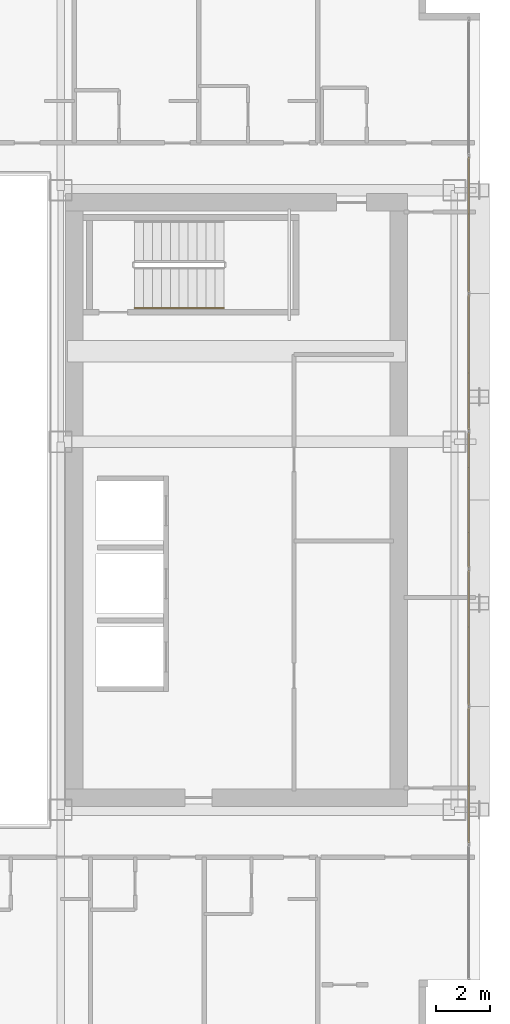
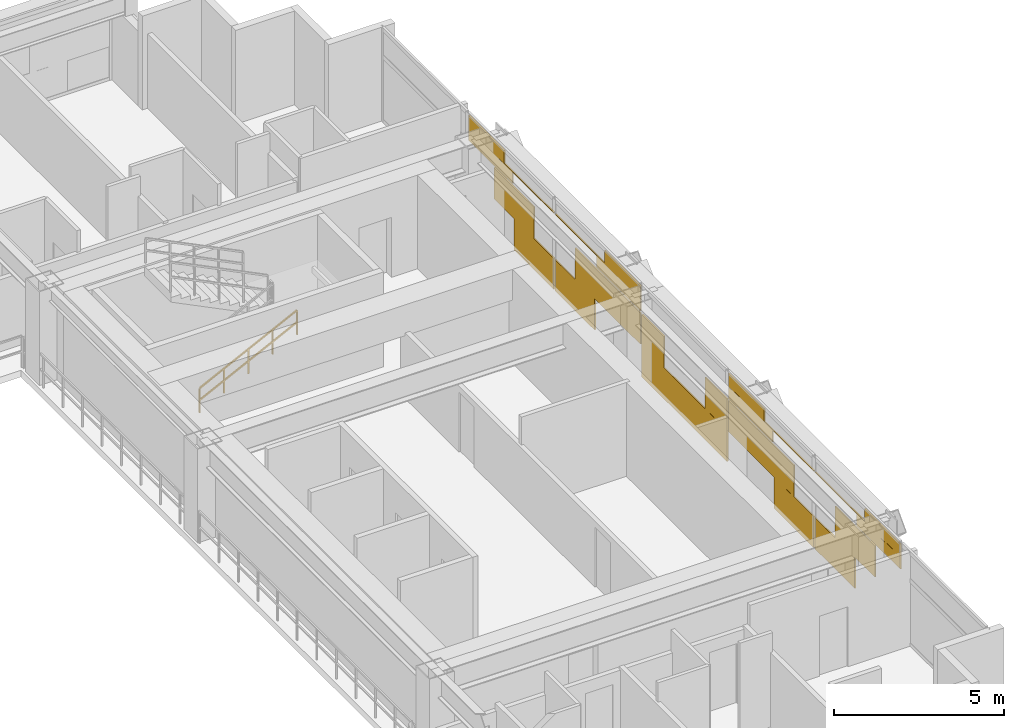
# One storey, part 34 of 35: 1 covering, 1 railing.
"""IFC4 building model written with IfcOpenShell, lengths in metres."""

from ifc_helpers import new_model, si_unit, direction, frame, origin, origin_2d, place, context, subcontext, project, spatial, rectangle, extrude, material, layer, layer_set, type_object, element, save


model = new_model("IFC4")

# Units and contexts
model_context = context("Model", 3, precision=1e-05, world=origin(), true_north=direction((0.0, 1.0)))
body_context = subcontext(model_context, "Body", "Model", "MODEL_VIEW")
ifc_project = project(units=[si_unit("LENGTHUNIT", "METRE"), si_unit("AREAUNIT", "SQUARE_METRE"), si_unit("VOLUMEUNIT", "CUBIC_METRE"), si_unit("PLANEANGLEUNIT", "RADIAN"), si_unit("MASSUNIT", "GRAM", prefix="KILO")], contexts=[model_context])

# Site, building, storey
site_placement = place(None, origin())
site = spatial("IfcSite", under=ifc_project, at=site_placement, CompositionType="ELEMENT")
building_placement = place(site_placement, origin())
building = spatial("IfcBuilding", under=site, at=building_placement, Name="Ocotamira Hotel", CompositionType="ELEMENT")
storey_placement = place(building_placement, frame((0.0, 0.0, 100.800048828125)))
storey = spatial("IfcBuildingStorey", under=building, at=storey_placement, Name="L24", CompositionType="ELEMENT", Elevation=100.800048828125)

# Covering
ifc_material_1 = material(Name="Insulated pale-metal aluminium spandrel panel", Category="aluminium")
ifc_layer = layer(ifc_material_1, 0.044921875)
ifc_layer_set = layer_set([ifc_layer], Name="Insulated pale-metal aluminium spandrel panel")
covering_type = type_object("IfcCoveringType", Name="COV-INFILL-45", PredefinedType="CLADDING", material=ifc_layer_set)
covering_placement = place(storey_placement, origin())
element("IfcCovering", 1, at=covering_placement, inside=storey, type_object=covering_type, Name="L24 Curtain Wall Infill CW-3 CW-L24-E", PredefinedType="CLADDING", context=body_context, shape_type="SweptSolid", body=[
    extrude(rectangle(XDim=2.35107421875, YDim=0.044921875, at=origin_2d()), frame((55.580078125, 15.988525390625, 1.194091796875), z_axis=(0.0, 0.0, 1.0), x_axis=(0.0, 1.0, 0.0)), (0.0, 0.0, 1.0), 1.11767578125),
    extrude(rectangle(XDim=2.331787109375, YDim=0.044921875, at=origin_2d()), frame((55.580078125, 17.1650390625, 0.0751953125), z_axis=(0.0, 0.0, 1.0), x_axis=(0.0, 1.0, 0.0)), (0.0, 0.0, 1.0), 1.117919921875),
    extrude(rectangle(XDim=2.572265625, YDim=0.044921875, at=origin_2d()), frame((55.580078125, 14.6123046875, 2.38818359375), z_axis=(0.0, 0.0, 1.0), x_axis=(0.0, 1.0, 0.0)), (0.0, 0.0, 1.0), 0.413330078125),
    extrude(rectangle(XDim=5.004638671875, YDim=0.044921875, at=origin_2d()), frame((55.580078125, 15.82861328125, 2.80224609375), z_axis=(0.0, 0.0, 1.0), x_axis=(0.0, 1.0, 0.0)), (0.0, 0.0, 1.0), 0.033203125),
    extrude(rectangle(XDim=2.096435546875, YDim=0.044921875, at=origin_2d()), frame((55.580078125, 14.37451171875, 2.836669921875), z_axis=(0.0, 0.0, 1.0), x_axis=(0.0, 1.0, 0.0)), (0.0, 0.0, 1.0), 0.44775390625),
    extrude(rectangle(XDim=2.322265625, YDim=0.044921875, at=origin_2d()), frame((55.580078125, 19.572998046875, 0.0751953125), z_axis=(0.0, 0.0, 1.0), x_axis=(0.0, 1.0, 0.0)), (0.0, 0.0, 1.0), 1.117919921875),
    extrude(rectangle(XDim=3.847412109375, YDim=0.044921875, at=origin_2d()), frame((55.580078125, 21.492919921875, 1.194091796875), z_axis=(0.0, 0.0, 1.0), x_axis=(0.0, 1.0, 0.0)), (0.0, 0.0, 1.0), 1.11767578125),
    extrude(rectangle(XDim=5.004638671875, YDim=0.044921875, at=origin_2d()), frame((55.580078125, 20.914306640625, 2.80224609375), z_axis=(0.0, 0.0, 1.0), x_axis=(0.0, 1.0, 0.0)), (0.0, 0.0, 1.0), 0.033203125),
    extrude(rectangle(XDim=2.581787109375, YDim=0.044921875, at=origin_2d()), frame((55.580078125, 22.125732421875, 2.38818359375), z_axis=(0.0, 0.0, 1.0), x_axis=(0.0, 1.0, 0.0)), (0.0, 0.0, 1.0), 0.413330078125),
    extrude(rectangle(XDim=2.106201171875, YDim=0.044921875, at=origin_2d()), frame((55.580078125, 22.363525390625, 2.836669921875), z_axis=(0.0, 0.0, 1.0), x_axis=(0.0, 1.0, 0.0)), (0.0, 0.0, 1.0), 0.44775390625),
    extrude(rectangle(XDim=5.004638671875, YDim=0.044921875, at=origin_2d()), frame((55.580078125, 26.0, 0.0751953125), z_axis=(0.0, 0.0, 1.0), x_axis=(0.0, 1.0, 0.0)), (0.0, 0.0, 1.0), 1.117919921875),
    extrude(rectangle(XDim=1.2998046875, YDim=0.044921875, at=origin_2d()), frame((55.580078125, 24.1474609375, 1.194091796875), z_axis=(0.0, 0.0, 1.0), x_axis=(0.0, 1.0, 0.0)), (0.0, 0.0, 1.0), 1.11767578125),
    extrude(rectangle(XDim=1.2998046875, YDim=0.044921875, at=origin_2d()), frame((55.580078125, 27.8525390625, 1.194091796875), z_axis=(0.0, 0.0, 1.0), x_axis=(0.0, 1.0, 0.0)), (0.0, 0.0, 1.0), 1.11767578125),
    extrude(rectangle(XDim=3.847412109375, YDim=0.044921875, at=origin_2d()), frame((55.580078125, 30.507080078125, 1.194091796875), z_axis=(0.0, 0.0, 1.0), x_axis=(0.0, 1.0, 0.0)), (0.0, 0.0, 1.0), 1.11767578125),
    extrude(rectangle(XDim=2.322265625, YDim=0.044921875, at=origin_2d()), frame((55.580078125, 32.427001953125, 0.0751953125), z_axis=(0.0, 0.0, 1.0), x_axis=(0.0, 1.0, 0.0)), (0.0, 0.0, 1.0), 1.117919921875),
    extrude(rectangle(XDim=2.581787109375, YDim=0.044921875, at=origin_2d()), frame((55.580078125, 29.874267578125, 2.38818359375), z_axis=(0.0, 0.0, 1.0), x_axis=(0.0, 1.0, 0.0)), (0.0, 0.0, 1.0), 0.413330078125),
    extrude(rectangle(XDim=5.004638671875, YDim=0.044921875, at=origin_2d()), frame((55.580078125, 31.085693359375, 2.80224609375), z_axis=(0.0, 0.0, 1.0), x_axis=(0.0, 1.0, 0.0)), (0.0, 0.0, 1.0), 0.033203125),
    extrude(rectangle(XDim=2.106201171875, YDim=0.044921875, at=origin_2d()), frame((55.580078125, 29.636474609375, 2.836669921875), z_axis=(0.0, 0.0, 1.0), x_axis=(0.0, 1.0, 0.0)), (0.0, 0.0, 1.0), 0.44775390625),
    extrude(rectangle(XDim=2.331787109375, YDim=0.044921875, at=origin_2d()), frame((55.580078125, 34.8349609375, 0.0751953125), z_axis=(0.0, 0.0, 1.0), x_axis=(0.0, 1.0, 0.0)), (0.0, 0.0, 1.0), 1.117919921875),
    extrude(rectangle(XDim=2.35107421875, YDim=0.044921875, at=origin_2d()), frame((55.580078125, 36.011474609375, 1.194091796875), z_axis=(0.0, 0.0, 1.0), x_axis=(0.0, 1.0, 0.0)), (0.0, 0.0, 1.0), 1.11767578125),
    extrude(rectangle(XDim=5.004638671875, YDim=0.044921875, at=origin_2d()), frame((55.580078125, 36.17138671875, 2.80224609375), z_axis=(0.0, 0.0, 1.0), x_axis=(0.0, 1.0, 0.0)), (0.0, 0.0, 1.0), 0.033203125),
    extrude(rectangle(XDim=2.572265625, YDim=0.044921875, at=origin_2d()), frame((55.580078125, 37.3876953125, 2.38818359375), z_axis=(0.0, 0.0, 1.0), x_axis=(0.0, 1.0, 0.0)), (0.0, 0.0, 1.0), 0.413330078125),
    extrude(rectangle(XDim=2.096435546875, YDim=0.044921875, at=origin_2d()), frame((55.580078125, 37.62548828125, 2.836669921875), z_axis=(0.0, 0.0, 1.0), x_axis=(0.0, 1.0, 0.0)), (0.0, 0.0, 1.0), 0.44775390625),
])

# Railing
ifc_material_2 = material(Name="Brushed stainless steel handrail", Category="steel")
railing_type = type_object("IfcRailingType", Name="RL-HAND-900", PredefinedType="HANDRAIL", material=ifc_material_2)
railing_placement = place(storey_placement, frame((43.22998046875, 33.10009765625, 0.3271484375)))
element("IfcRailing", 2, at=railing_placement, inside=storey, type_object=railing_type, Name="L24 ST-4 stair handrail 1", PredefinedType="HANDRAIL", context=body_context, shape_type="SweptSolid", body=[
    extrude(rectangle(XDim=0.048095703125, YDim=0.048095703125, at=origin_2d()), frame((0.0, 0.0, 0.8759765625), z_axis=(0.895893744519, 0.0, 0.4442683857), x_axis=(0.0, 1.0, 0.0)), (0.0, 0.0, 1.0), 3.68359375),
    extrude(rectangle(XDim=0.048095703125, YDim=0.048095703125, at=origin_2d()), frame((0.0, 0.0, 0.449951171875), z_axis=(0.895893744519, 0.0, 0.4442683857), x_axis=(0.0, 1.0, 0.0)), (0.0, 0.0, 1.0), 3.68359375),
    extrude(rectangle(XDim=0.0419921875, YDim=0.0419921875, at=origin_2d()), origin(), (0.0, 0.0, 1.0), 0.851806640625),
    extrude(rectangle(XDim=0.0419921875, YDim=0.0419921875, at=origin_2d()), frame((0.824951171875, 0.0, 0.4091796875)), (0.0, 0.0, 1.0), 0.851806640625),
    extrude(rectangle(XDim=0.0419921875, YDim=0.0419921875, at=origin_2d()), frame((1.64990234375, 0.0, 0.818359375)), (0.0, 0.0, 1.0), 0.851806640625),
    extrude(rectangle(XDim=0.0419921875, YDim=0.0419921875, at=origin_2d()), frame((2.47509765625, 0.0, 1.227294921875)), (0.0, 0.0, 1.0), 0.851806640625),
    extrude(rectangle(XDim=0.0419921875, YDim=0.0419921875, at=origin_2d()), frame((3.300048828125, 0.0, 1.636474609375)), (0.0, 0.0, 1.0), 0.851806640625),
])

save(model, "model.ifc")
